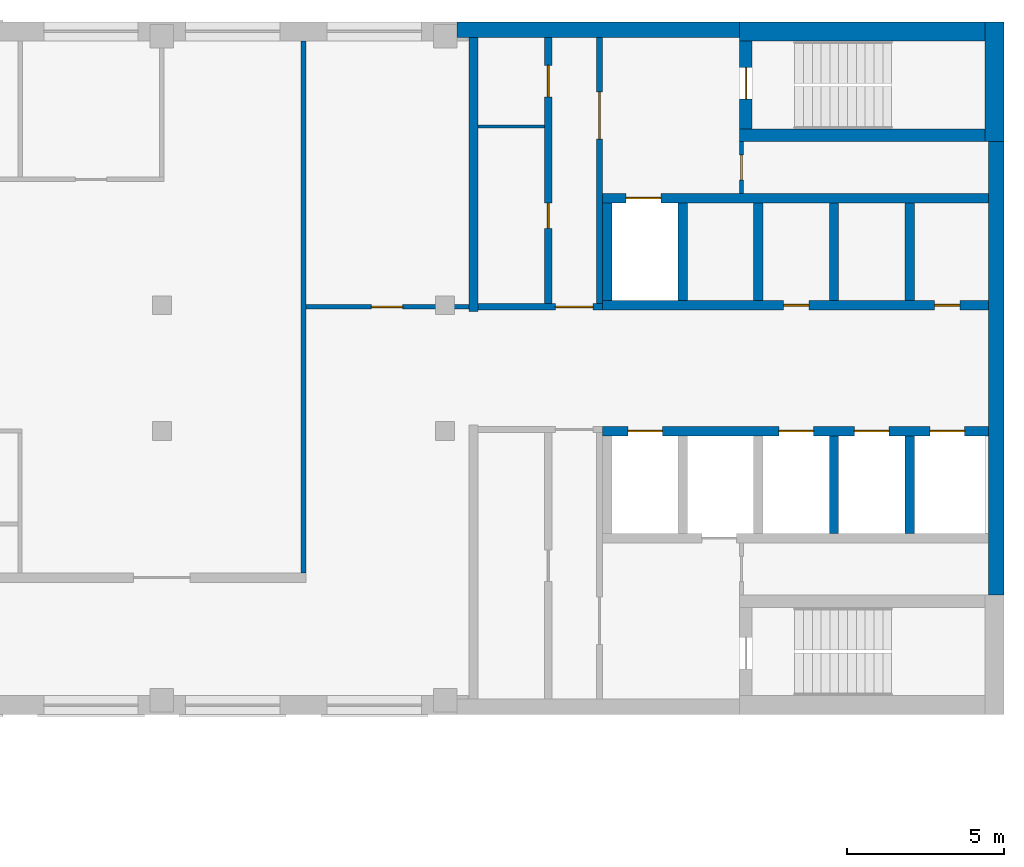
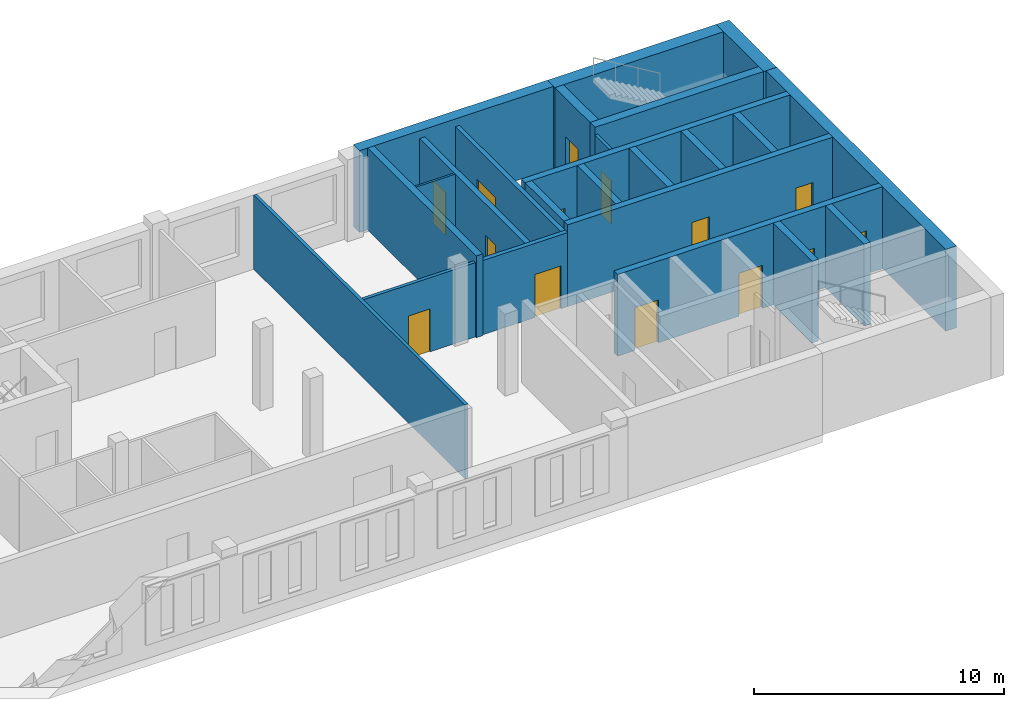
# One storey, part 6 of 8: 24 walls, 14 doors, 14 openings.
"""IFC4 building model written with IfcOpenShell, lengths in metres."""

from ifc_helpers import new_model, si_unit, direction, frame, frame_2d, origin, place, context, subcontext, project, spatial, rectangle, extrude, material, layer, layer_set, type_object, element, fill, save


model = new_model("IFC4")

# Units and contexts
model_context = context("Model", 3, precision=1e-05, world=origin(), true_north=direction((0.0, 1.0)))
body_context = subcontext(model_context, "Body", "Model", "MODEL_VIEW")
ifc_project = project(units=[si_unit("LENGTHUNIT", "METRE"), si_unit("AREAUNIT", "SQUARE_METRE"), si_unit("VOLUMEUNIT", "CUBIC_METRE"), si_unit("PLANEANGLEUNIT", "RADIAN"), si_unit("MASSUNIT", "GRAM", prefix="KILO")], contexts=[model_context])

# Site, building, storey
site_placement = place(None, origin())
site = spatial("IfcSite", under=ifc_project, at=site_placement, CompositionType="ELEMENT")
building_placement = place(site_placement, origin())
building = spatial("IfcBuilding", under=site, at=building_placement, Name="Skarvind Civic Tower", CompositionType="ELEMENT")
storey_placement = place(building_placement, frame((0.0, 0.0, 196.0)))
storey = spatial("IfcBuildingStorey", under=building, at=storey_placement, Name="L46", CompositionType="ELEMENT", Elevation=196.0)

# Wall, opening, door
ifc_material_1 = material(Name="Fire-rated masonry partition", Category="masonry")
ifc_layer_1 = layer(ifc_material_1, 0.199951171875)
ifc_layer_set_1 = layer_set([ifc_layer_1], Name="Core enclosure wall 200")
wall_type_1 = type_object("IfcWallType", Name="Core enclosure wall 200", PredefinedType="PARTITIONING", material=ifc_layer_set_1)
wall_1_placement = place(storey_placement, frame((91.300048828125, 129.949951171875, 0.0), z_axis=(0.0, 0.0, 1.0), x_axis=(1.0, 0.0, 0.0)))
wall_1 = element("IfcWall", 1, at=wall_1_placement, inside=storey, type_object=wall_type_1, Name="Core wall C1", PredefinedType="PARTITIONING", context=body_context, shape_type="SweptSolid", body=[
    extrude(rectangle(XDim=3.949951171875, YDim=0.199951171875, at=frame_2d((1.97509765625, 0.0))), origin(), (0.0, 0.0, 1.0), 3.625),
])
opening_1_placement = place(wall_1_placement, frame((2.449951171875, 0.0, 0.0)))
opening_1 = element("IfcOpeningElement", 2, at=opening_1_placement, cuts=wall_1, Name="Opening D-L46-C1-12", PredefinedType="OPENING", context=body_context, shape_type="SweptSolid", body=[
    extrude(rectangle(XDim=1.199951171875, YDim=2.10009765625, at=frame_2d((0.60009765625, 1.050048828125))), frame((0.0, 0.10986328125, 0.0), z_axis=(0.0, -1.0, 0.0), x_axis=(1.0, 0.0, 0.0)), (0.0, 0.0, 1.0), 0.219970703125),
])
ifc_material_2 = material(Name="Fire-rated steel door", Category="steel")
door_type_1 = type_object("IfcDoorType", Name="Core lobby door 1200", OperationType="NOTDEFINED", PredefinedType="DOOR", material=ifc_material_2)
door_1_placement = place(opening_1_placement, origin())
door_1 = element("IfcDoor", 3, at=door_1_placement, inside=storey, type_object=door_type_1, Name="Fire door", OperationType="DOUBLE_DOOR_SINGLE_SWING", OverallHeight=2.10009765625, OverallWidth=1.199951171875, PredefinedType="DOOR", context=body_context, shape_type="SweptSolid", body=[
    extrude(rectangle(XDim=1.199951171875, YDim=2.10009765625, at=frame_2d((0.60009765625, 1.050048828125))), frame((0.0, 0.02490234375, 0.0), z_axis=(0.0, -1.0, 0.0), x_axis=(1.0, 0.0, 0.0)), (0.0, 0.0, 1.0), 0.050048828125),
])
fill(opening_1, door_1)

wall_2_placement = place(storey_placement, frame((95.14990234375, 130.050048828125, 0.0), z_axis=(0.0, 0.0, 1.0), x_axis=(0.0, 1.0, 0.0)))
wall_2 = element("IfcWall", 4, at=wall_2_placement, inside=storey, type_object=wall_type_1, Name="Core wall C1", PredefinedType="PARTITIONING", context=body_context, shape_type="SweptSolid", body=[
    extrude(rectangle(XDim=8.449951171875, YDim=0.199951171875, at=frame_2d((4.22509765625, 0.0))), origin(), (0.0, 0.0, 1.0), 3.625),
])
opening_2_placement = place(wall_2_placement, frame((5.22509765625, 0.0, 0.0)))
opening_2 = element("IfcOpeningElement", 5, at=opening_2_placement, cuts=wall_2, Name="Opening D-L46-C1-13", PredefinedType="OPENING", context=body_context, shape_type="SweptSolid", body=[
    extrude(rectangle(XDim=1.5, YDim=2.10009765625, at=frame_2d((0.75, 1.050048828125))), frame((0.0, 0.10986328125, 0.0), z_axis=(0.0, -1.0, 0.0), x_axis=(1.0, 0.0, 0.0)), (0.0, 0.0, 1.0), 0.219970703125),
])
door_type_2 = type_object("IfcDoorType", Name="Fire door 1500", OperationType="NOTDEFINED", PredefinedType="DOOR", material=ifc_material_2)
door_2_placement = place(opening_2_placement, origin())
door_2 = element("IfcDoor", 6, at=door_2_placement, inside=storey, type_object=door_type_2, Name="Fire door", OperationType="DOUBLE_DOOR_SINGLE_SWING", OverallHeight=2.10009765625, OverallWidth=1.5, PredefinedType="DOOR", context=body_context, shape_type="SweptSolid", body=[
    extrude(rectangle(XDim=1.5, YDim=2.10009765625, at=frame_2d((0.75, 1.050048828125))), frame((0.0, 0.02490234375, 0.0), z_axis=(0.0, -1.0, 0.0), x_axis=(1.0, 0.0, 0.0)), (0.0, 0.0, 1.0), 0.050048828125),
])
fill(opening_2, door_2)

# Wall
ifc_material_3 = material(Name="Fire-rated plasterboard partition")
ifc_layer_2 = layer(ifc_material_3, 0.10009765625)
ifc_layer_set_2 = layer_set([ifc_layer_2], Name="Core partition wall 100")
wall_type_2 = type_object("IfcWallType", Name="Core partition wall 100", PredefinedType="PARTITIONING", material=ifc_layer_set_2)
wall_3_placement = place(storey_placement, frame((91.300048828125, 135.679931640625, 0.0), z_axis=(0.0, 0.0, 1.0), x_axis=(1.0, 0.0, 0.0)))
element("IfcWall", 7, at=wall_3_placement, inside=storey, type_object=wall_type_2, Name="Core wall C1", PredefinedType="PARTITIONING", context=body_context, shape_type="SweptSolid", body=[
    extrude(rectangle(XDim=2.099853515625, YDim=0.10009765625, at=frame_2d((1.0498046875, 0.0))), origin(), (0.0, 0.0, 1.0), 3.625),
])

# Wall, openings, doors
ifc_material_4 = material(Name="Concrete C60", Category="concrete")
ifc_layer_3 = layer(ifc_material_4, 0.300048828125)
ifc_layer_set_3 = layer_set([ifc_layer_3], Name="Core wall 300 C60")
wall_type_3 = type_object("IfcWallType", Name="Core wall 300 C60", PredefinedType="SHEAR", material=ifc_layer_set_3)
wall_4_placement = place(storey_placement, frame((107.5, 130.0, 0.0), z_axis=(0.0, 0.0, 1.0), x_axis=(-1.0, 0.0, 0.0)))
wall_4 = element("IfcWall", 8, at=wall_4_placement, inside=storey, type_object=wall_type_3, Name="Core wall C1 south lift row front L46", PredefinedType="SHEAR", context=body_context, shape_type="SweptSolid", body=[
    extrude(rectangle(XDim=12.25, YDim=0.300048828125, at=frame_2d((6.125, 0.0))), origin(), (0.0, 0.0, 1.0), 4.0),
])
opening_3_placement = place(wall_4_placement, frame((0.89990234375, 0.0, 0.0)))
opening_3 = element("IfcOpeningElement", 9, at=opening_3_placement, cuts=wall_4, Name="Opening D-L46-C1-05", PredefinedType="OPENING", context=body_context, shape_type="SweptSolid", body=[
    extrude(rectangle(XDim=0.800048828125, YDim=2.10009765625, at=frame_2d((0.39990234375, 1.050048828125))), frame((0.0, 0.159912109375, 0.0), z_axis=(0.0, -1.0, 0.0), x_axis=(1.0, 0.0, 0.0)), (0.0, 0.0, 1.0), 0.320068359375),
])
opening_4_placement = place(wall_4_placement, frame((5.699951171875, 0.0, 0.0)))
opening_4 = element("IfcOpeningElement", 10, at=opening_4_placement, cuts=wall_4, Name="Opening D-L46-C1-06", PredefinedType="OPENING", context=body_context, shape_type="SweptSolid", body=[
    extrude(rectangle(XDim=0.800048828125, YDim=2.10009765625, at=frame_2d((0.39990234375, 1.050048828125))), frame((0.0, 0.159912109375, 0.0), z_axis=(0.0, -1.0, 0.0), x_axis=(1.0, 0.0, 0.0)), (0.0, 0.0, 1.0), 0.320068359375),
])
door_type_3 = type_object("IfcDoorType", Name="Core riser door 800", OperationType="NOTDEFINED", PredefinedType="DOOR", material=ifc_material_2)
door_3_placement = place(opening_3_placement, origin())
door_3 = element("IfcDoor", 11, at=door_3_placement, inside=storey, type_object=door_type_3, Name="Riser door", OperationType="SINGLE_SWING_LEFT", OverallHeight=2.10009765625, OverallWidth=0.800048828125, PredefinedType="DOOR", context=body_context, shape_type="SweptSolid", body=[
    extrude(rectangle(XDim=0.800048828125, YDim=2.10009765625, at=frame_2d((0.39990234375, 1.050048828125))), frame((0.0, 0.02490234375, 0.0), z_axis=(0.0, -1.0, 0.0), x_axis=(1.0, 0.0, 0.0)), (0.0, 0.0, 1.0), 0.050048828125),
])
fill(opening_3, door_3)
door_4_placement = place(opening_4_placement, origin())
door_4 = element("IfcDoor", 12, at=door_4_placement, inside=storey, type_object=door_type_3, Name="Riser door", OperationType="SINGLE_SWING_RIGHT", OverallHeight=2.10009765625, OverallWidth=0.800048828125, PredefinedType="DOOR", context=body_context, shape_type="SweptSolid", body=[
    extrude(rectangle(XDim=0.800048828125, YDim=2.10009765625, at=frame_2d((0.39990234375, 1.050048828125))), frame((0.0, 0.02490234375, 0.0), z_axis=(0.0, -1.0, 0.0), x_axis=(1.0, 0.0, 0.0)), (0.0, 0.0, 1.0), 0.050048828125),
])
fill(opening_4, door_4)

# Wall, opening, door
wall_5_placement = place(storey_placement, frame((107.5, 133.39990234375, 0.0), z_axis=(0.0, 0.0, 1.0), x_axis=(-1.0, 0.0, 0.0)))
wall_5 = element("IfcWall", 13, at=wall_5_placement, inside=storey, type_object=wall_type_3, Name="Core wall C1 south lift row back L46", PredefinedType="SHEAR", context=body_context, shape_type="SweptSolid", body=[
    extrude(rectangle(XDim=12.25, YDim=0.300048828125, at=frame_2d((6.125, 0.0))), origin(), (0.0, 0.0, 1.0), 4.0),
])
opening_5_placement = place(wall_5_placement, frame((10.39990234375, 0.0, 0.0)))
opening_5 = element("IfcOpeningElement", 14, at=opening_5_placement, cuts=wall_5, Name="Opening LD48110", PredefinedType="OPENING", context=body_context, shape_type="SweptSolid", body=[
    extrude(rectangle(XDim=1.10009765625, YDim=2.10009765625, at=frame_2d((0.550048828125, 1.050048828125))), frame((0.0, 0.159912109375, 0.0), z_axis=(0.0, -1.0, 0.0), x_axis=(1.0, 0.0, 0.0)), (0.0, 0.0, 1.0), 0.320068359375),
])
ifc_material_5 = material(Name="Stainless steel landing door", Category="steel")
door_type_4 = type_object("IfcDoorType", Name="Lift landing door 1100", OperationType="DOUBLE_DOOR_SLIDING", PredefinedType="DOOR", material=ifc_material_5)
door_5_placement = place(opening_5_placement, origin())
door_5 = element("IfcDoor", 15, at=door_5_placement, inside=storey, type_object=door_type_4, Name="Lift landing door", OperationType="DOUBLE_DOOR_SLIDING", OverallHeight=2.10009765625, OverallWidth=1.10009765625, PredefinedType="DOOR", context=body_context, shape_type="SweptSolid", body=[
    extrude(rectangle(XDim=1.10009765625, YDim=2.10009765625, at=frame_2d((0.550048828125, 1.050048828125))), frame((0.0, 0.02490234375, 0.0), z_axis=(0.0, -1.0, 0.0), x_axis=(1.0, 0.0, 0.0)), (0.0, 0.0, 1.0), 0.050048828125),
])
fill(opening_5, door_5)

# Walls
for number, where, z_axis, x_axis, name in (
    (16, (105.0, 133.25, 0.0), (0.0, 0.0, 1.0), (0.0, -1.0, 0.0), "Core wall C1 south lift row division 1 L46"),
    (17, (102.60009765625, 133.25, 0.0), (0.0, 0.0, 1.0), (0.0, -1.0, 0.0), "Core wall C1 south lift row division 2 L46"),
    (18, (100.199951171875, 133.25, 0.0), (0.0, 0.0, 1.0), (0.0, -1.0, 0.0), "Core wall C1 south lift row division 3 L46"),
    (19, (97.800048828125, 133.25, 0.0), (0.0, 0.0, 1.0), (0.0, -1.0, 0.0), "Core wall C1 south lift row division 4 L46"),
    (20, (95.39990234375, 133.25, 0.0), (0.0, 0.0, 1.0), (0.0, -1.0, 0.0), "Core wall C1 south lift row division 5 L46"),
):
    element("IfcWall", number, at=place(storey_placement, frame(where, z_axis=z_axis, x_axis=x_axis)), inside=storey, type_object=wall_type_3, Name=name, PredefinedType="SHEAR", context=body_context, shape_type="SweptSolid", body=[
        extrude(rectangle(XDim=3.10009765625, YDim=0.300048828125, at=frame_2d((1.550048828125, 0.0))), origin(), (0.0, 0.0, 1.0), 4.0),
    ])

# Wall, openings, doors
wall_6_placement = place(storey_placement, frame((107.5, 126.0, 0.0), z_axis=(0.0, 0.0, 1.0), x_axis=(-1.0, 0.0, 0.0)))
wall_6 = element("IfcWall", 21, at=wall_6_placement, inside=storey, type_object=wall_type_3, Name="Core wall C1 north lift row front L46", PredefinedType="SHEAR", context=body_context, shape_type="SweptSolid", body=[
    extrude(rectangle(XDim=12.25, YDim=0.300048828125, at=frame_2d((6.125, 0.0))), origin(), (0.0, 0.0, 1.0), 4.0),
])
opening_6_placement = place(wall_6_placement, frame((0.75, 0.0, 0.0)))
opening_6 = element("IfcOpeningElement", 22, at=opening_6_placement, cuts=wall_6, Name="Opening LD48101", PredefinedType="OPENING", context=body_context, shape_type="SweptSolid", body=[
    extrude(rectangle(XDim=1.10009765625, YDim=2.10009765625, at=frame_2d((0.550048828125, 1.050048828125))), frame((0.0, 0.159912109375, 0.0), z_axis=(0.0, -1.0, 0.0), x_axis=(1.0, 0.0, 0.0)), (0.0, 0.0, 1.0), 0.320068359375),
])
opening_7_placement = place(wall_6_placement, frame((3.14990234375, 0.0, 0.0)))
opening_7 = element("IfcOpeningElement", 23, at=opening_7_placement, cuts=wall_6, Name="Opening LD48102", PredefinedType="OPENING", context=body_context, shape_type="SweptSolid", body=[
    extrude(rectangle(XDim=1.10009765625, YDim=2.10009765625, at=frame_2d((0.550048828125, 1.050048828125))), frame((0.0, 0.159912109375, 0.0), z_axis=(0.0, -1.0, 0.0), x_axis=(1.0, 0.0, 0.0)), (0.0, 0.0, 1.0), 0.320068359375),
])
opening_8_placement = place(wall_6_placement, frame((5.550048828125, 0.0, 0.0)))
opening_8 = element("IfcOpeningElement", 24, at=opening_8_placement, cuts=wall_6, Name="Opening LD48103", PredefinedType="OPENING", context=body_context, shape_type="SweptSolid", body=[
    extrude(rectangle(XDim=1.10009765625, YDim=2.10009765625, at=frame_2d((0.550048828125, 1.050048828125))), frame((0.0, 0.159912109375, 0.0), z_axis=(0.0, -1.0, 0.0), x_axis=(1.0, 0.0, 0.0)), (0.0, 0.0, 1.0), 0.320068359375),
])
opening_9_placement = place(wall_6_placement, frame((10.35009765625, 0.0, 0.0)))
opening_9 = element("IfcOpeningElement", 25, at=opening_9_placement, cuts=wall_6, Name="Opening LD48105", PredefinedType="OPENING", context=body_context, shape_type="SweptSolid", body=[
    extrude(rectangle(XDim=1.10009765625, YDim=2.10009765625, at=frame_2d((0.550048828125, 1.050048828125))), frame((0.0, 0.159912109375, 0.0), z_axis=(0.0, -1.0, 0.0), x_axis=(1.0, 0.0, 0.0)), (0.0, 0.0, 1.0), 0.320068359375),
])
door_6_placement = place(opening_6_placement, origin())
door_6 = element("IfcDoor", 26, at=door_6_placement, inside=storey, type_object=door_type_4, Name="Lift landing door", OperationType="DOUBLE_DOOR_SLIDING", OverallHeight=2.10009765625, OverallWidth=1.10009765625, PredefinedType="DOOR", context=body_context, shape_type="SweptSolid", body=[
    extrude(rectangle(XDim=1.10009765625, YDim=2.10009765625, at=frame_2d((0.550048828125, 1.050048828125))), frame((0.0, 0.02490234375, 0.0), z_axis=(0.0, -1.0, 0.0), x_axis=(1.0, 0.0, 0.0)), (0.0, 0.0, 1.0), 0.050048828125),
])
fill(opening_6, door_6)
door_7_placement = place(opening_7_placement, origin())
door_7 = element("IfcDoor", 27, at=door_7_placement, inside=storey, type_object=door_type_4, Name="Lift landing door", OperationType="DOUBLE_DOOR_SLIDING", OverallHeight=2.10009765625, OverallWidth=1.10009765625, PredefinedType="DOOR", context=body_context, shape_type="SweptSolid", body=[
    extrude(rectangle(XDim=1.10009765625, YDim=2.10009765625, at=frame_2d((0.550048828125, 1.050048828125))), frame((0.0, 0.02490234375, 0.0), z_axis=(0.0, -1.0, 0.0), x_axis=(1.0, 0.0, 0.0)), (0.0, 0.0, 1.0), 0.050048828125),
])
fill(opening_7, door_7)
door_8_placement = place(opening_8_placement, origin())
door_8 = element("IfcDoor", 28, at=door_8_placement, inside=storey, type_object=door_type_4, Name="Lift landing door", OperationType="DOUBLE_DOOR_SLIDING", OverallHeight=2.10009765625, OverallWidth=1.10009765625, PredefinedType="DOOR", context=body_context, shape_type="SweptSolid", body=[
    extrude(rectangle(XDim=1.10009765625, YDim=2.10009765625, at=frame_2d((0.550048828125, 1.050048828125))), frame((0.0, 0.02490234375, 0.0), z_axis=(0.0, -1.0, 0.0), x_axis=(1.0, 0.0, 0.0)), (0.0, 0.0, 1.0), 0.050048828125),
])
fill(opening_8, door_8)
door_9_placement = place(opening_9_placement, origin())
door_9 = element("IfcDoor", 29, at=door_9_placement, inside=storey, type_object=door_type_4, Name="Lift landing door", OperationType="DOUBLE_DOOR_SLIDING", OverallHeight=2.10009765625, OverallWidth=1.10009765625, PredefinedType="DOOR", context=body_context, shape_type="SweptSolid", body=[
    extrude(rectangle(XDim=1.10009765625, YDim=2.10009765625, at=frame_2d((0.550048828125, 1.050048828125))), frame((0.0, 0.02490234375, 0.0), z_axis=(0.0, -1.0, 0.0), x_axis=(1.0, 0.0, 0.0)), (0.0, 0.0, 1.0), 0.050048828125),
])
fill(opening_9, door_9)

# Walls
for number, where, z_axis, x_axis, name in (
    (30, (105.0, 125.85009765625, 0.0), (0.0, 0.0, 1.0), (0.0, -1.0, 0.0), "Core wall C1 north lift row division 1 L46"),
    (31, (102.60009765625, 125.85009765625, 0.0), (0.0, 0.0, 1.0), (0.0, -1.0, 0.0), "Core wall C1 north lift row division 2 L46"),
):
    element("IfcWall", number, at=place(storey_placement, frame(where, z_axis=z_axis, x_axis=x_axis)), inside=storey, type_object=wall_type_3, Name=name, PredefinedType="SHEAR", context=body_context, shape_type="SweptSolid", body=[
        extrude(rectangle(XDim=3.10009765625, YDim=0.300048828125, at=frame_2d((1.550048828125, 0.0))), origin(), (0.0, 0.0, 1.0), 4.0),
    ])
wall_7_placement = place(storey_placement, frame((91.14990234375, 138.5, 0.0), z_axis=(0.0, 0.0, 1.0), x_axis=(0.0, -1.0, 0.0)))
element("IfcWall", 32, at=wall_7_placement, inside=storey, type_object=wall_type_3, Name="Core wall C1 south inner face L46", PredefinedType="SHEAR", context=body_context, shape_type="SweptSolid", body=[
    extrude(rectangle(XDim=8.699951171875, YDim=0.300048828125, at=frame_2d((4.35009765625, 0.0))), origin(), (0.0, 0.0, 1.0), 4.0),
])
ifc_layer_4 = layer(ifc_material_4, 0.39990234375)
ifc_layer_set_4 = layer_set([ifc_layer_4], Name="Core wall 400 C60")
wall_type_4 = type_object("IfcWallType", Name="Core wall 400 C60", PredefinedType="SHEAR", material=ifc_layer_set_4)
wall_8_placement = place(storey_placement, frame((107.39990234375, 135.39990234375, 0.0), z_axis=(0.0, 0.0, 1.0), x_axis=(-1.0, 0.0, 0.0)))
element("IfcWall", 33, at=wall_8_placement, inside=storey, type_object=wall_type_4, Name="Core wall C1 south stair inner L46", PredefinedType="SHEAR", context=body_context, shape_type="SweptSolid", body=[
    extrude(rectangle(XDim=7.7998046875, YDim=0.39990234375, at=frame_2d((3.89990234375, 0.0))), origin(), (0.0, 0.0, 1.0), 4.0),
])

# Wall, opening, door
wall_9_placement = place(storey_placement, frame((99.800048828125, 138.39990234375, 0.0), z_axis=(0.0, 0.0, 1.0), x_axis=(0.0, -1.0, 0.0)))
wall_9 = element("IfcWall", 34, at=wall_9_placement, inside=storey, type_object=wall_type_4, Name="Core wall C1 south stair end L46", PredefinedType="SHEAR", context=body_context, shape_type="SweptSolid", body=[
    extrude(rectangle(XDim=2.7998046875, YDim=0.39990234375, at=frame_2d((1.39990234375, 0.0))), origin(), (0.0, 0.0, 1.0), 4.0),
])
opening_10_placement = place(wall_9_placement, frame((0.85009765625, 0.0, 0.0)))
opening_10 = element("IfcOpeningElement", 35, at=opening_10_placement, cuts=wall_9, Name="Opening D-L46-C1-14", PredefinedType="OPENING", context=body_context, shape_type="SweptSolid", body=[
    extrude(rectangle(XDim=1.0, YDim=2.10009765625, at=frame_2d((0.5, 1.050048828125))), frame((0.0, 0.2099609375, 0.0), z_axis=(0.0, -1.0, 0.0), x_axis=(1.0, 0.0, 0.0)), (0.0, 0.0, 1.0), 0.419921875),
])
door_type_5 = type_object("IfcDoorType", Name="Fire door 1000", OperationType="NOTDEFINED", PredefinedType="DOOR", material=ifc_material_2)
door_10_placement = place(opening_10_placement, origin())
door_10 = element("IfcDoor", 36, at=door_10_placement, inside=storey, type_object=door_type_5, Name="Fire door", OperationType="SINGLE_SWING_RIGHT", OverallHeight=2.10009765625, OverallWidth=1.0, PredefinedType="DOOR", context=body_context, shape_type="SweptSolid", body=[
    extrude(rectangle(XDim=1.0, YDim=2.10009765625, at=frame_2d((0.5, 1.050048828125))), frame((0.0, 0.02490234375, 0.0), z_axis=(0.0, -1.0, 0.0), x_axis=(1.0, 0.0, 0.0)), (0.0, 0.0, 1.0), 0.050048828125),
])
fill(opening_10, door_10)

# Walls
ifc_layer_5 = layer(ifc_material_4, 0.5)
ifc_layer_set_5 = layer_set([ifc_layer_5], Name="Core wall 500 C60")
wall_type_5 = type_object("IfcWallType", Name="Core wall 500 C60", PredefinedType="SHEAR", material=ifc_layer_set_5)
wall_10_placement = place(storey_placement, frame((107.75, 135.199951171875, 0.0), z_axis=(0.0, 0.0, 1.0), x_axis=(0.0, -1.0, 0.0)))
element("IfcWall", 37, at=wall_10_placement, inside=storey, type_object=wall_type_5, Name="Core wall C1 tip between the stairs L46", PredefinedType="SHEAR", context=body_context, shape_type="SweptSolid", body=[
    extrude(rectangle(XDim=14.39990234375, YDim=0.5, at=frame_2d((7.199951171875, 0.0))), origin(), (0.0, 0.0, 1.0), 4.0),
])
wall_11_placement = place(storey_placement, frame((99.60009765625, 138.75, 0.0), z_axis=(0.0, 0.0, 1.0), x_axis=(-1.0, 0.0, 0.0)))
element("IfcWall", 38, at=wall_11_placement, inside=storey, type_object=wall_type_5, Name="Core wall C1 south side L46", PredefinedType="SHEAR", context=body_context, shape_type="SweptSolid", body=[
    extrude(rectangle(XDim=8.97509765625, YDim=0.5, at=frame_2d((4.487548828125, 0.0))), origin(), (0.0, 0.0, 1.0), 4.0),
])
ifc_layer_6 = layer(ifc_material_4, 0.60009765625)
ifc_layer_set_6 = layer_set([ifc_layer_6], Name="Core wall 600 C60")
wall_type_6 = type_object("IfcWallType", Name="Core wall 600 C60", PredefinedType="SHEAR", material=ifc_layer_set_6)
wall_12_placement = place(storey_placement, frame((107.699951171875, 139.0, 0.0), z_axis=(0.0, 0.0, 1.0), x_axis=(0.0, -1.0, 0.0)))
element("IfcWall", 39, at=wall_12_placement, inside=storey, type_object=wall_type_6, Name="Core wall C1 tip at the south stair L46", PredefinedType="SHEAR", context=body_context, shape_type="SweptSolid", body=[
    extrude(rectangle(XDim=3.800048828125, YDim=0.60009765625, at=frame_2d((1.89990234375, 0.0))), origin(), (0.0, 0.0, 1.0), 4.0),
])
wall_13_placement = place(storey_placement, frame((107.39990234375, 138.699951171875, 0.0), z_axis=(0.0, 0.0, 1.0), x_axis=(-1.0, 0.0, 0.0)))
element("IfcWall", 40, at=wall_13_placement, inside=storey, type_object=wall_type_6, Name="Core wall C1 south side at the stair L46", PredefinedType="SHEAR", context=body_context, shape_type="SweptSolid", body=[
    extrude(rectangle(XDim=7.7998046875, YDim=0.60009765625, at=frame_2d((3.89990234375, 0.0))), origin(), (0.0, 0.0, 1.0), 4.0),
])
ifc_material_6 = material(Name="Plasterboard partition on steel studs", Category="steel")
ifc_layer_7 = layer(ifc_material_6, 0.14990234375)
ifc_layer_set_7 = layer_set([ifc_layer_7], Name="PARTITION 150")
wall_type_7 = type_object("IfcWallType", Name="PARTITION 150", PredefinedType="PARTITIONING", material=ifc_layer_set_7)
wall_14_placement = place(storey_placement, frame((85.75, 121.5, 0.0), z_axis=(0.0, 0.0, 1.0), x_axis=(0.0, 1.0, 0.0)))
element("IfcWall", 41, at=wall_14_placement, inside=storey, type_object=wall_type_7, Name="Partition 46.037", PredefinedType="PARTITIONING", context=body_context, shape_type="SweptSolid", body=[
    extrude(rectangle(XDim=16.89990234375, YDim=0.14990234375, at=frame_2d((8.449951171875, 0.0))), origin(), (0.0, 0.0, 1.0), 3.625),
])

# Wall, opening, door
wall_15_placement = place(storey_placement, frame((85.824951171875, 129.949951171875, 0.0), z_axis=(0.0, 0.0, 1.0), x_axis=(1.0, 0.0, 0.0)))
wall_15 = element("IfcWall", 42, at=wall_15_placement, inside=storey, type_object=wall_type_7, Name="Partition 46.038", PredefinedType="PARTITIONING", context=body_context, shape_type="SweptSolid", body=[
    extrude(rectangle(XDim=5.175048828125, YDim=0.14990234375, at=frame_2d((2.58740234375, 0.0))), origin(), (0.0, 0.0, 1.0), 3.625),
])
opening_11_placement = place(wall_15_placement, frame((2.077392578125, 0.0, 0.0)))
opening_11 = element("IfcOpeningElement", 43, at=opening_11_placement, cuts=wall_15, Name="Opening L46-D001", PredefinedType="OPENING", context=body_context, shape_type="SweptSolid", body=[
    extrude(rectangle(XDim=1.0, YDim=2.10009765625, at=frame_2d((0.5, 1.050048828125))), frame((0.0, 0.0849609375, 0.0), z_axis=(0.0, -1.0, 0.0), x_axis=(1.0, 0.0, 0.0)), (0.0, 0.0, 1.0), 0.169921875),
])
ifc_material_7 = material(Name="Timber door leaf", Category="wood")
door_type_6 = type_object("IfcDoorType", Name="D1 1000x2100", OperationType="NOTDEFINED", PredefinedType="DOOR", material=ifc_material_7)
door_11_placement = place(opening_11_placement, origin())
door_11 = element("IfcDoor", 44, at=door_11_placement, inside=storey, type_object=door_type_6, Name="Door L46-D001", OperationType="SINGLE_SWING_LEFT", OverallHeight=2.10009765625, OverallWidth=1.0, PredefinedType="DOOR", context=body_context, shape_type="SweptSolid", body=[
    extrude(rectangle(XDim=1.0, YDim=2.10009765625, at=frame_2d((0.5, 1.050048828125))), frame((0.0, 0.02490234375, 0.0), z_axis=(0.0, -1.0, 0.0), x_axis=(1.0, 0.0, 0.0)), (0.0, 0.0, 1.0), 0.050048828125),
])
fill(opening_11, door_11)

ifc_layer_8 = layer(ifc_material_1, 0.125)
ifc_layer_set_8 = layer_set([ifc_layer_8], Name="Riser wall 125")
wall_type_8 = type_object("IfcWallType", Name="Riser wall 125", PredefinedType="PARTITIONING", material=ifc_layer_set_8)
wall_16_placement = place(storey_placement, frame((99.66259765625, 133.550048828125, 0.0), z_axis=(0.0, 0.0, 1.0), x_axis=(0.0, 1.0, 0.0)))
wall_16 = element("IfcWall", 45, at=wall_16_placement, inside=storey, type_object=wall_type_8, Name="Core wall C1", PredefinedType="PARTITIONING", context=body_context, shape_type="SweptSolid", body=[
    extrude(rectangle(XDim=1.64990234375, YDim=0.125, at=frame_2d((0.824951171875, 0.0))), origin(), (0.0, 0.0, 1.0), 3.625),
])
opening_12_placement = place(wall_16_placement, frame((0.425048828125, 0.0, 0.0)))
opening_12 = element("IfcOpeningElement", 46, at=opening_12_placement, cuts=wall_16, Name="Opening D-L46-C1-15", PredefinedType="OPENING", context=body_context, shape_type="SweptSolid", body=[
    extrude(rectangle(XDim=0.800048828125, YDim=2.10009765625, at=frame_2d((0.39990234375, 1.050048828125))), frame((0.0, 0.072509765625, 0.0), z_axis=(0.0, -1.0, 0.0), x_axis=(1.0, 0.0, 0.0)), (0.0, 0.0, 1.0), 0.14501953125),
])
door_12_placement = place(opening_12_placement, origin())
door_12 = element("IfcDoor", 47, at=door_12_placement, inside=storey, type_object=door_type_3, Name="Riser door", OperationType="SINGLE_SWING_LEFT", OverallHeight=2.10009765625, OverallWidth=0.800048828125, PredefinedType="DOOR", context=body_context, shape_type="SweptSolid", body=[
    extrude(rectangle(XDim=0.800048828125, YDim=2.10009765625, at=frame_2d((0.39990234375, 1.050048828125))), frame((0.0, 0.02490234375, 0.0), z_axis=(0.0, -1.0, 0.0), x_axis=(1.0, 0.0, 0.0)), (0.0, 0.0, 1.0), 0.050048828125),
])
fill(opening_12, door_12)

# Wall, openings, doors
ifc_layer_9 = layer(ifc_material_1, 0.25)
ifc_layer_set_9 = layer_set([ifc_layer_9], Name="Service block wall 250")
wall_type_9 = type_object("IfcWallType", Name="Service block wall 250", PredefinedType="PARTITIONING", material=ifc_layer_set_9)
wall_17_placement = place(storey_placement, frame((93.52490234375, 130.050048828125, 0.0), z_axis=(0.0, 0.0, 1.0), x_axis=(0.0, 1.0, 0.0)))
wall_17 = element("IfcWall", 48, at=wall_17_placement, inside=storey, type_object=wall_type_9, Name="Core wall C1", PredefinedType="PARTITIONING", context=body_context, shape_type="SweptSolid", body=[
    extrude(rectangle(XDim=8.449951171875, YDim=0.25, at=frame_2d((4.22509765625, 0.0))), origin(), (0.0, 0.0, 1.0), 3.625),
])
opening_13_placement = place(wall_17_placement, frame((2.389892578125, 0.0, 0.0)))
opening_13 = element("IfcOpeningElement", 49, at=opening_13_placement, cuts=wall_17, Name="Opening D-L46-C1-16", PredefinedType="OPENING", context=body_context, shape_type="SweptSolid", body=[
    extrude(rectangle(XDim=0.800048828125, YDim=2.10009765625, at=frame_2d((0.39990234375, 1.050048828125))), frame((0.0, 0.135009765625, 0.0), z_axis=(0.0, -1.0, 0.0), x_axis=(1.0, 0.0, 0.0)), (0.0, 0.0, 1.0), 0.27001953125),
])
opening_14_placement = place(wall_17_placement, frame((6.56494140625, 0.0, 0.0)))
opening_14 = element("IfcOpeningElement", 50, at=opening_14_placement, cuts=wall_17, Name="Opening D-L46-C1-17", PredefinedType="OPENING", context=body_context, shape_type="SweptSolid", body=[
    extrude(rectangle(XDim=1.0, YDim=2.10009765625, at=frame_2d((0.5, 1.050048828125))), frame((0.0, 0.135009765625, 0.0), z_axis=(0.0, -1.0, 0.0), x_axis=(1.0, 0.0, 0.0)), (0.0, 0.0, 1.0), 0.27001953125),
])
door_13_placement = place(opening_13_placement, origin())
door_13 = element("IfcDoor", 51, at=door_13_placement, inside=storey, type_object=door_type_3, Name="Riser door", OperationType="SINGLE_SWING_RIGHT", OverallHeight=2.10009765625, OverallWidth=0.800048828125, PredefinedType="DOOR", context=body_context, shape_type="SweptSolid", body=[
    extrude(rectangle(XDim=0.800048828125, YDim=2.10009765625, at=frame_2d((0.39990234375, 1.050048828125))), frame((0.0, 0.02490234375, 0.0), z_axis=(0.0, -1.0, 0.0), x_axis=(1.0, 0.0, 0.0)), (0.0, 0.0, 1.0), 0.050048828125),
])
fill(opening_13, door_13)
door_14_placement = place(opening_14_placement, origin())
door_14 = element("IfcDoor", 52, at=door_14_placement, inside=storey, type_object=door_type_5, Name="Fire door", OperationType="SINGLE_SWING_LEFT", OverallHeight=2.10009765625, OverallWidth=1.0, PredefinedType="DOOR", context=body_context, shape_type="SweptSolid", body=[
    extrude(rectangle(XDim=1.0, YDim=2.10009765625, at=frame_2d((0.5, 1.050048828125))), frame((0.0, 0.02490234375, 0.0), z_axis=(0.0, -1.0, 0.0), x_axis=(1.0, 0.0, 0.0)), (0.0, 0.0, 1.0), 0.050048828125),
])
fill(opening_14, door_14)

save(model, "model.ifc")
